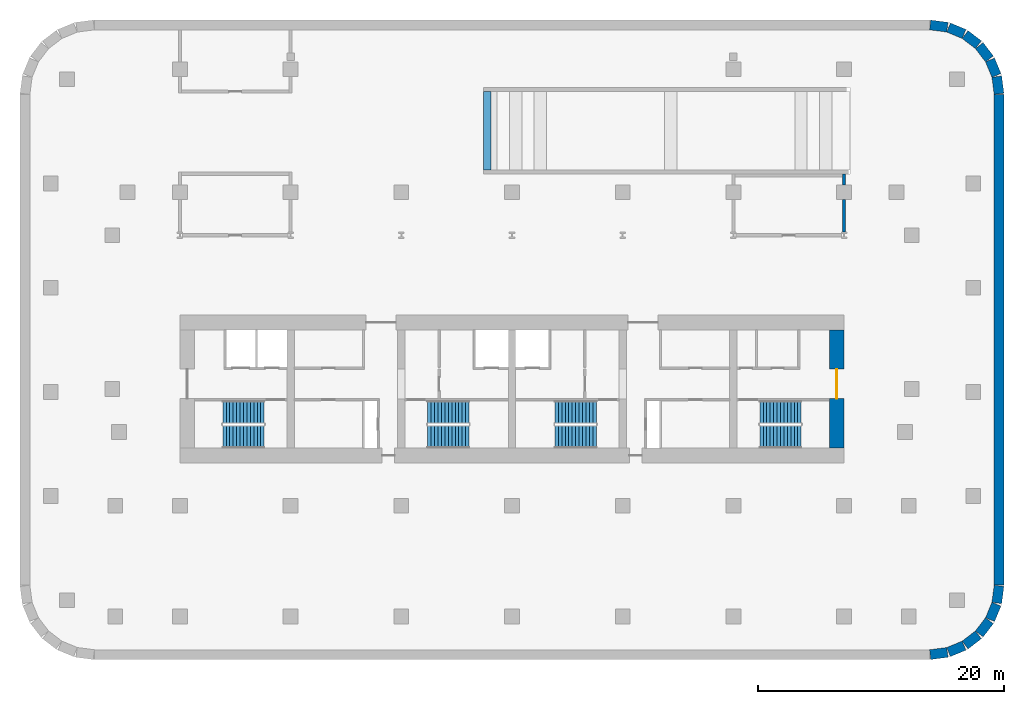
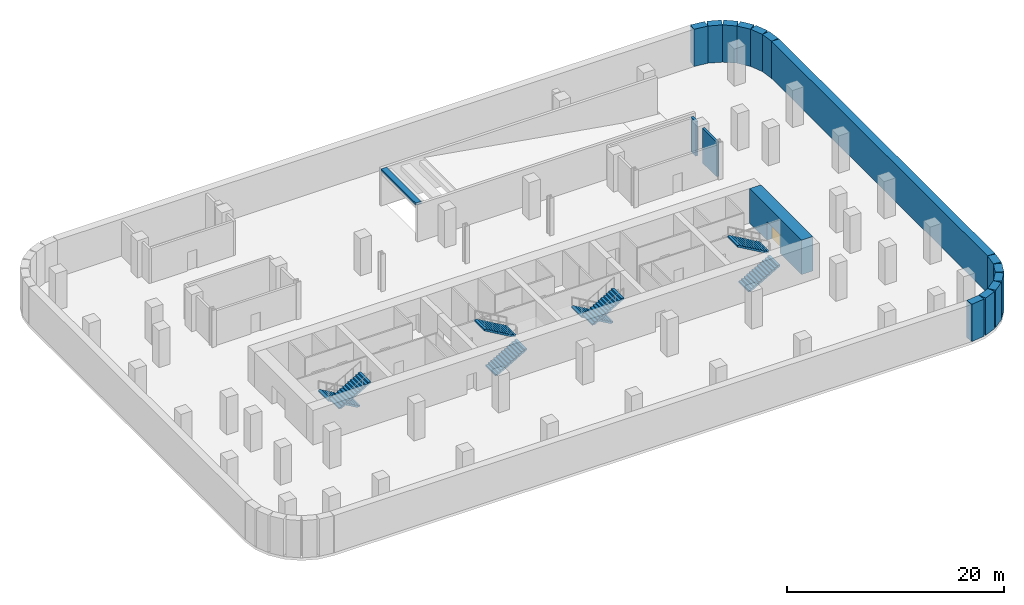
# One storey, part 4 of 5: 16 walls, 8 stair flights, 1 door, 1 ramp flight, 1 opening, 5 elements without a shape of their own.
"""IFC4 building model written with IfcOpenShell, lengths in metres."""

from ifc_helpers import new_model, si_unit, direction, frame, frame_2d, origin, place, context, subcontext, project, spatial, polyline, rectangle, outline, extrude, material, layer, layer_set, type_object, element, fill, aggregate, save


model = new_model("IFC4")

# Units and contexts
model_context = context("Model", 3, precision=1e-05, world=origin(), true_north=direction((0.0, 1.0)))
body_context = subcontext(model_context, "Body", "Model", "MODEL_VIEW")
ifc_project = project(units=[si_unit("LENGTHUNIT", "METRE"), si_unit("AREAUNIT", "SQUARE_METRE"), si_unit("VOLUMEUNIT", "CUBIC_METRE"), si_unit("PLANEANGLEUNIT", "RADIAN"), si_unit("MASSUNIT", "GRAM", prefix="KILO")], contexts=[model_context])

# Site, building, storey
site_placement = place(None, origin())
site = spatial("IfcSite", under=ifc_project, at=site_placement, CompositionType="ELEMENT")
building_placement = place(site_placement, origin())
building = spatial("IfcBuilding", under=site, at=building_placement, Name="Zellij Exchange Tower", CompositionType="ELEMENT")
storey_placement = place(building_placement, frame((0.0, 0.0, -8.39990234375)))
storey = spatial("IfcBuildingStorey", under=building, at=storey_placement, Name="B2", CompositionType="ELEMENT", Elevation=-8.39990234375)

# Walls
ifc_material_1 = material(Name="Concrete C32/40", Category="concrete")
ifc_layer_1 = layer(ifc_material_1, 0.25)
ifc_layer_set_1 = layer_set([ifc_layer_1], Name="Concrete C32/40")
wall_type_1 = type_object("IfcWallType", Name="BSM-Wall 250", PredefinedType="SOLIDWALL", material=ifc_layer_set_1)
wall_1_placement = place(storey_placement, frame((27.0, 4.784423828125, 0.0), z_axis=(0.0, 0.0, 1.0), x_axis=(0.0, 1.0, 0.0)))
element("IfcWall", 1, at=wall_1_placement, inside=storey, type_object=wall_type_1, Name="Partition 16", PredefinedType="SOLIDWALL", context=body_context, shape_type="SweptSolid", body=[
    extrude(rectangle(XDim=2.615478515625, YDim=0.25, at=frame_2d((1.3076171875, 0.0))), origin(), (0.0, 0.0, 1.0), 3.89990234375),
])
wall_2_placement = place(storey_placement, frame((27.0, 8.60009765625, 0.0), z_axis=(0.0, 0.0, 1.0), x_axis=(0.0, 1.0, 0.0)))
element("IfcWall", 2, at=wall_2_placement, inside=storey, type_object=wall_type_1, Name="Partition 17", PredefinedType="SOLIDWALL", context=body_context, shape_type="SweptSolid", body=[
    extrude(rectangle(XDim=0.89990234375, YDim=0.25, at=frame_2d((0.449951171875, 0.0))), origin(), (0.0, 0.0, 1.0), 3.89990234375),
])

# Wall, opening, door
ifc_material_2 = material(Name="Concrete C70/85", Category="concrete")
ifc_layer_2 = layer(ifc_material_2, 1.199951171875)
ifc_layer_set_2 = layer_set([ifc_layer_2], Name="Concrete C70/85")
wall_type_2 = type_object("IfcWallType", Name="CORE-SW 1200 C70/85", PredefinedType="SHEAR", material=ifc_layer_set_2)
wall_3_placement = place(storey_placement, frame((26.39990234375, -12.800048828125, 0.0), z_axis=(0.0, 0.0, 1.0), x_axis=(0.0, 1.0, 0.0)))
wall_3 = element("IfcWall", 3, at=wall_3_placement, inside=storey, type_object=wall_type_2, Name="Core shear wall end e B2", PredefinedType="SHEAR", context=body_context, shape_type="SweptSolid", body=[
    extrude(rectangle(XDim=9.60009765625, YDim=1.199951171875, at=frame_2d((4.800048828125, 0.0))), origin(), (0.0, 0.0, 1.0), 3.89990234375),
])
opening_placement = place(wall_3_placement, frame((4.011962890625, 0.0, 0.0)))
opening = element("IfcOpeningElement", 4, at=opening_placement, cuts=wall_3, Name="Opening CA-01.24", PredefinedType="OPENING", context=body_context, shape_type="SweptSolid", body=[
    extrude(rectangle(XDim=2.39990234375, YDim=2.10009765625, at=frame_2d((1.199951171875, 1.050048828125))), frame((0.0, 0.61181640625, 0.0), z_axis=(0.0, -1.0, 0.0), x_axis=(1.0, 0.0, 0.0)), (0.0, 0.0, 1.0), 1.223876953125),
])
ifc_material_3 = material(Name="Hollow metal fire door")
door_type = type_object("IfcDoorType", Name="CORE-D CE Core entrance door 2400x2100 20 MIN", OperationType="NOTDEFINED", PredefinedType="DOOR", material=ifc_material_3)
door_placement = place(opening_placement, origin())
door = element("IfcDoor", 5, at=door_placement, inside=storey, type_object=door_type, Name="Core entrance door CA-01.24", OperationType="DOUBLE_DOOR_SINGLE_SWING", OverallHeight=2.10009765625, OverallWidth=2.39990234375, PredefinedType="DOOR", context=body_context, shape_type="SweptSolid", body=[
    extrude(rectangle(XDim=2.39990234375, YDim=2.10009765625, at=frame_2d((1.199951171875, 1.050048828125))), frame((0.0, 0.02490234375, 0.0), z_axis=(0.0, -1.0, 0.0), x_axis=(1.0, 0.0, 0.0)), (0.0, 0.0, 1.0), 0.050048828125),
])
fill(opening, door)

# Walls
ifc_material_4 = material(Name="Concrete C40/50", Category="concrete")
ifc_layer_3 = layer(ifc_material_4, 0.800048828125)
ifc_layer_set_3 = layer_set([ifc_layer_3], Name="Concrete C40/50")
wall_type_3 = type_object("IfcWallType", Name="STR-RETAINING WALL 800 C40/50", PredefinedType="SOLIDWALL", material=ifc_layer_set_3)
wall_4_placement = place(storey_placement, frame((33.999755859375, 21.5966796875, 0.0), z_axis=(0.0, 0.0, 1.0), x_axis=(0.99144603414, -0.130517283865, 0.0)))
element("IfcWall", 6, at=wall_4_placement, inside=storey, type_object=wall_type_3, Name="Retaining wall B2", PredefinedType="SOLIDWALL", context=body_context, shape_type="SweptSolid", body=[
    extrude(rectangle(XDim=1.408447265625, YDim=0.800048828125, at=frame_2d((0.7041015625, 0.0))), origin(), (0.0, 0.0, 1.0), 4.199951171875),
])
for number, where, z_axis, x_axis, name in (
    (7, (35.497314453125, 21.3857421875, 0.0), (0.0, 0.0, 1.0), (0.923847774587, -0.38276009378, 0.0), "Retaining wall B2"),
    (8, (36.840087890625, 20.814697265625, 0.0), (0.0, 0.0, 1.0), (0.793359897258, -0.608752883708, 0.0), "Retaining wall B2"),
    (9, (37.989501953125, 19.91552734375, 0.0), (0.0, 0.0, 1.0), (0.608752883708, -0.793359897258, 0.0), "Retaining wall B2"),
    (10, (38.866943359375, 18.74951171875, 0.0), (0.0, 0.0, 1.0), (0.38276009378, -0.923847774587, 0.0), "Retaining wall B2"),
):
    element("IfcWall", number, at=place(storey_placement, frame(where, z_axis=z_axis, x_axis=x_axis)), inside=storey, type_object=wall_type_3, Name=name, PredefinedType="SOLIDWALL", context=body_context, shape_type="SweptSolid", body=[
        extrude(rectangle(XDim=1.35546875, YDim=0.800048828125, at=frame_2d((0.677734375, 0.0))), origin(), (0.0, 0.0, 1.0), 4.199951171875),
    ])
wall_5_placement = place(storey_placement, frame((39.412841796875, 17.396240234375, 0.0), z_axis=(0.0, 0.0, 1.0), x_axis=(0.130517283865, -0.99144603414, 0.0)))
element("IfcWall", 11, at=wall_5_placement, inside=storey, type_object=wall_type_3, Name="Retaining wall B2", PredefinedType="SOLIDWALL", context=body_context, shape_type="SweptSolid", body=[
    extrude(rectangle(XDim=1.408447265625, YDim=0.800048828125, at=frame_2d((0.7041015625, 0.0))), origin(), (0.0, 0.0, 1.0), 4.199951171875),
])
wall_6_placement = place(storey_placement, frame((39.60009765625, 15.947509765625, 0.0), z_axis=(0.0, 0.0, 1.0), x_axis=(0.0, -1.0, 0.0)))
element("IfcWall", 12, at=wall_6_placement, inside=storey, type_object=wall_type_3, Name="Retaining wall B2", PredefinedType="SOLIDWALL", context=body_context, shape_type="SweptSolid", body=[
    extrude(rectangle(XDim=39.89501953125, YDim=0.800048828125, at=frame_2d((19.947509765625, 0.0))), origin(), (0.0, 0.0, 1.0), 4.199951171875),
])
wall_7_placement = place(storey_placement, frame((39.5966796875, -23.999755859375, 0.0), z_axis=(0.0, 0.0, 1.0), x_axis=(-0.130517283865, -0.99144603414, 0.0)))
element("IfcWall", 13, at=wall_7_placement, inside=storey, type_object=wall_type_3, Name="Retaining wall B2", PredefinedType="SOLIDWALL", context=body_context, shape_type="SweptSolid", body=[
    extrude(rectangle(XDim=1.408447265625, YDim=0.800048828125, at=frame_2d((0.7041015625, 0.0))), origin(), (0.0, 0.0, 1.0), 4.199951171875),
])
for number, where, z_axis, x_axis, name in (
    (14, (39.3857421875, -25.497314453125, 0.0), (0.0, 0.0, 1.0), (-0.38276009378, -0.923847774587, 0.0), "Retaining wall B2"),
    (15, (38.814697265625, -26.840087890625, 0.0), (0.0, 0.0, 1.0), (-0.608752883708, -0.793359897258, 0.0), "Retaining wall B2"),
    (16, (37.91552734375, -27.989501953125, 0.0), (0.0, 0.0, 1.0), (-0.793359897258, -0.608752883708, 0.0), "Retaining wall B2"),
    (17, (36.74951171875, -28.866943359375, 0.0), (0.0, 0.0, 1.0), (-0.923847774587, -0.38276009378, 0.0), "Retaining wall B2"),
):
    element("IfcWall", number, at=place(storey_placement, frame(where, z_axis=z_axis, x_axis=x_axis)), inside=storey, type_object=wall_type_3, Name=name, PredefinedType="SOLIDWALL", context=body_context, shape_type="SweptSolid", body=[
        extrude(rectangle(XDim=1.35546875, YDim=0.800048828125, at=frame_2d((0.677734375, 0.0))), origin(), (0.0, 0.0, 1.0), 4.199951171875),
    ])
wall_8_placement = place(storey_placement, frame((35.396240234375, -29.412841796875, 0.0), z_axis=(0.0, 0.0, 1.0), x_axis=(-0.99144603414, -0.130517283865, 0.0)))
element("IfcWall", 18, at=wall_8_placement, inside=storey, type_object=wall_type_3, Name="Retaining wall B2", PredefinedType="SOLIDWALL", context=body_context, shape_type="SweptSolid", body=[
    extrude(rectangle(XDim=1.408447265625, YDim=0.800048828125, at=frame_2d((0.7041015625, 0.0))), origin(), (0.0, 0.0, 1.0), 4.199951171875),
])

# Stair, stair flights
stair_type = type_object("IfcStairType", Name="CORE-ST exit stair 1850 wide", PredefinedType="HALF_TURN_STAIR", material=ifc_material_4)
stair_1_placement = place(storey_placement, origin())
stair_1 = element("IfcStair", 19, at=stair_1_placement, inside=storey, type_object=stair_type, Name="B2 exit stair ST1", PredefinedType="HALF_TURN_STAIR")
stair_flight_type = type_object("IfcStairFlightType", Name="CORE-SF flight 1850 riser 161.5 going 280", PredefinedType="STRAIGHT", material=ifc_material_4)
stair_flight_1_placement = place(storey_placement, frame((-20.14990234375, -9.875, 0.0), z_axis=(0.0, 0.0, 1.0), x_axis=(-1.0, 0.0, 0.0)))
stair_flight_1 = element("IfcStairFlight", 20, at=stair_flight_1_placement, type_object=stair_flight_type, Name="ST1 flight 1", NumberOfRisers=13, NumberOfTreads=12, PredefinedType="STRAIGHT", RiserHeight=0.161538462, TreadLength=0.28, context=body_context, shape_type="SweptSolid", body=[
    extrude(outline(polyline([(0.0, 0.0), (0.0, 0.16162109375), (0.280029296875, 0.16162109375), (0.280029296875, 0.322998046875), (0.56005859375, 0.322998046875), (0.56005859375, 0.484619140625), (0.840087890625, 0.484619140625), (0.840087890625, 0.646240234375), (1.1201171875, 0.646240234375), (1.1201171875, 0.8076171875), (1.39990234375, 0.8076171875), (1.39990234375, 0.96923828125), (1.679931640625, 0.96923828125), (1.679931640625, 1.130859375), (1.9599609375, 1.130859375), (1.9599609375, 1.292236328125), (2.239990234375, 1.292236328125), (2.239990234375, 1.453857421875), (2.52001953125, 1.453857421875), (2.52001953125, 1.615478515625), (2.800048828125, 1.615478515625), (2.800048828125, 1.77685546875), (3.080078125, 1.77685546875), (3.080078125, 1.9384765625), (3.360107421875, 1.9384765625), (3.360107421875, 2.10009765625), (3.360107421875, 1.765380859375), (0.300048828125, 0.0), (0.0, 0.0)])), frame((0.0, 0.925048828125, 0.0), z_axis=(0.0, -1.0, 0.0), x_axis=(1.0, 0.0, 0.0)), (0.0, 0.0, 1.0), 1.85009765625),
])
stair_flight_2_placement = place(storey_placement, frame((-23.510009765625, -11.875, 2.099853515625), z_axis=(0.0, 0.0, 1.0), x_axis=(1.0, 0.0, 0.0)))
stair_flight_2 = element("IfcStairFlight", 21, at=stair_flight_2_placement, type_object=stair_flight_type, Name="ST1 flight 2", NumberOfRisers=13, NumberOfTreads=12, PredefinedType="STRAIGHT", RiserHeight=0.161538462, TreadLength=0.28, context=body_context, shape_type="SweptSolid", body=[
    extrude(outline(polyline([(0.0, 0.0), (0.0, 0.16162109375), (0.280029296875, 0.16162109375), (0.280029296875, 0.322998046875), (0.56005859375, 0.322998046875), (0.56005859375, 0.484619140625), (0.840087890625, 0.484619140625), (0.840087890625, 0.646240234375), (1.1201171875, 0.646240234375), (1.1201171875, 0.8076171875), (1.39990234375, 0.8076171875), (1.39990234375, 0.96923828125), (1.679931640625, 0.96923828125), (1.679931640625, 1.130859375), (1.9599609375, 1.130859375), (1.9599609375, 1.292236328125), (2.239990234375, 1.292236328125), (2.239990234375, 1.453857421875), (2.52001953125, 1.453857421875), (2.52001953125, 1.615478515625), (2.800048828125, 1.615478515625), (2.800048828125, 1.77685546875), (3.080078125, 1.77685546875), (3.080078125, 1.9384765625), (3.360107421875, 1.9384765625), (3.360107421875, 2.10009765625), (3.360107421875, 1.765380859375), (0.300048828125, 0.0), (0.0, 0.0)])), frame((0.0, 0.925048828125, 0.0), z_axis=(0.0, -1.0, 0.0), x_axis=(1.0, 0.0, 0.0)), (0.0, 0.0, 1.0), 1.85009765625),
])
aggregate(stair_1, [stair_flight_1, stair_flight_2])

stair_2_placement = place(storey_placement, origin())
stair_2 = element("IfcStair", 22, at=stair_2_placement, inside=storey, type_object=stair_type, Name="B2 exit stair ST2", PredefinedType="HALF_TURN_STAIR")
stair_flight_3_placement = place(storey_placement, frame((-6.85009765625, -11.875, 0.0), z_axis=(0.0, 0.0, 1.0), x_axis=(1.0, 0.0, 0.0)))
stair_flight_3 = element("IfcStairFlight", 23, at=stair_flight_3_placement, type_object=stair_flight_type, Name="ST2 flight 1", NumberOfRisers=13, NumberOfTreads=12, PredefinedType="STRAIGHT", RiserHeight=0.161538462, TreadLength=0.28, context=body_context, shape_type="SweptSolid", body=[
    extrude(outline(polyline([(0.0, 0.0), (0.0, 0.16162109375), (0.280029296875, 0.16162109375), (0.280029296875, 0.322998046875), (0.56005859375, 0.322998046875), (0.56005859375, 0.484619140625), (0.840087890625, 0.484619140625), (0.840087890625, 0.646240234375), (1.1201171875, 0.646240234375), (1.1201171875, 0.8076171875), (1.39990234375, 0.8076171875), (1.39990234375, 0.96923828125), (1.679931640625, 0.96923828125), (1.679931640625, 1.130859375), (1.9599609375, 1.130859375), (1.9599609375, 1.292236328125), (2.239990234375, 1.292236328125), (2.239990234375, 1.453857421875), (2.52001953125, 1.453857421875), (2.52001953125, 1.615478515625), (2.800048828125, 1.615478515625), (2.800048828125, 1.77685546875), (3.080078125, 1.77685546875), (3.080078125, 1.9384765625), (3.360107421875, 1.9384765625), (3.360107421875, 2.10009765625), (3.360107421875, 1.765380859375), (0.300048828125, 0.0), (0.0, 0.0)])), frame((0.0, 0.925048828125, 0.0), z_axis=(0.0, -1.0, 0.0), x_axis=(1.0, 0.0, 0.0)), (0.0, 0.0, 1.0), 1.85009765625),
])
stair_flight_4_placement = place(storey_placement, frame((-3.489990234375, -9.875, 2.099853515625), z_axis=(0.0, 0.0, 1.0), x_axis=(-1.0, 0.0, 0.0)))
stair_flight_4 = element("IfcStairFlight", 24, at=stair_flight_4_placement, type_object=stair_flight_type, Name="ST2 flight 2", NumberOfRisers=13, NumberOfTreads=12, PredefinedType="STRAIGHT", RiserHeight=0.161538462, TreadLength=0.28, context=body_context, shape_type="SweptSolid", body=[
    extrude(outline(polyline([(0.0, 0.0), (0.0, 0.16162109375), (0.280029296875, 0.16162109375), (0.280029296875, 0.322998046875), (0.56005859375, 0.322998046875), (0.56005859375, 0.484619140625), (0.840087890625, 0.484619140625), (0.840087890625, 0.646240234375), (1.1201171875, 0.646240234375), (1.1201171875, 0.8076171875), (1.39990234375, 0.8076171875), (1.39990234375, 0.96923828125), (1.679931640625, 0.96923828125), (1.679931640625, 1.130859375), (1.9599609375, 1.130859375), (1.9599609375, 1.292236328125), (2.239990234375, 1.292236328125), (2.239990234375, 1.453857421875), (2.52001953125, 1.453857421875), (2.52001953125, 1.615478515625), (2.800048828125, 1.615478515625), (2.800048828125, 1.77685546875), (3.080078125, 1.77685546875), (3.080078125, 1.9384765625), (3.360107421875, 1.9384765625), (3.360107421875, 2.10009765625), (3.360107421875, 1.765380859375), (0.300048828125, 0.0), (0.0, 0.0)])), frame((0.0, 0.925048828125, 0.0), z_axis=(0.0, -1.0, 0.0), x_axis=(1.0, 0.0, 0.0)), (0.0, 0.0, 1.0), 1.85009765625),
])
aggregate(stair_2, [stair_flight_3, stair_flight_4])

stair_3_placement = place(storey_placement, origin())
stair_3 = element("IfcStair", 25, at=stair_3_placement, inside=storey, type_object=stair_type, Name="B2 exit stair ST3", PredefinedType="HALF_TURN_STAIR")
stair_flight_5_placement = place(storey_placement, frame((6.85009765625, -9.875, 0.0), z_axis=(0.0, 0.0, 1.0), x_axis=(-1.0, 0.0, 0.0)))
stair_flight_5 = element("IfcStairFlight", 26, at=stair_flight_5_placement, type_object=stair_flight_type, Name="ST3 flight 1", NumberOfRisers=13, NumberOfTreads=12, PredefinedType="STRAIGHT", RiserHeight=0.161538462, TreadLength=0.28, context=body_context, shape_type="SweptSolid", body=[
    extrude(outline(polyline([(0.0, 0.0), (0.0, 0.16162109375), (0.280029296875, 0.16162109375), (0.280029296875, 0.322998046875), (0.56005859375, 0.322998046875), (0.56005859375, 0.484619140625), (0.840087890625, 0.484619140625), (0.840087890625, 0.646240234375), (1.1201171875, 0.646240234375), (1.1201171875, 0.8076171875), (1.39990234375, 0.8076171875), (1.39990234375, 0.96923828125), (1.679931640625, 0.96923828125), (1.679931640625, 1.130859375), (1.9599609375, 1.130859375), (1.9599609375, 1.292236328125), (2.239990234375, 1.292236328125), (2.239990234375, 1.453857421875), (2.52001953125, 1.453857421875), (2.52001953125, 1.615478515625), (2.800048828125, 1.615478515625), (2.800048828125, 1.77685546875), (3.080078125, 1.77685546875), (3.080078125, 1.9384765625), (3.360107421875, 1.9384765625), (3.360107421875, 2.10009765625), (3.360107421875, 1.765380859375), (0.300048828125, 0.0), (0.0, 0.0)])), frame((0.0, 0.925048828125, 0.0), z_axis=(0.0, -1.0, 0.0), x_axis=(1.0, 0.0, 0.0)), (0.0, 0.0, 1.0), 1.85009765625),
])
stair_flight_6_placement = place(storey_placement, frame((3.489990234375, -11.875, 2.099853515625), z_axis=(0.0, 0.0, 1.0), x_axis=(1.0, 0.0, 0.0)))
stair_flight_6 = element("IfcStairFlight", 27, at=stair_flight_6_placement, type_object=stair_flight_type, Name="ST3 flight 2", NumberOfRisers=13, NumberOfTreads=12, PredefinedType="STRAIGHT", RiserHeight=0.161538462, TreadLength=0.28, context=body_context, shape_type="SweptSolid", body=[
    extrude(outline(polyline([(0.0, 0.0), (0.0, 0.16162109375), (0.280029296875, 0.16162109375), (0.280029296875, 0.322998046875), (0.56005859375, 0.322998046875), (0.56005859375, 0.484619140625), (0.840087890625, 0.484619140625), (0.840087890625, 0.646240234375), (1.1201171875, 0.646240234375), (1.1201171875, 0.8076171875), (1.39990234375, 0.8076171875), (1.39990234375, 0.96923828125), (1.679931640625, 0.96923828125), (1.679931640625, 1.130859375), (1.9599609375, 1.130859375), (1.9599609375, 1.292236328125), (2.239990234375, 1.292236328125), (2.239990234375, 1.453857421875), (2.52001953125, 1.453857421875), (2.52001953125, 1.615478515625), (2.800048828125, 1.615478515625), (2.800048828125, 1.77685546875), (3.080078125, 1.77685546875), (3.080078125, 1.9384765625), (3.360107421875, 1.9384765625), (3.360107421875, 2.10009765625), (3.360107421875, 1.765380859375), (0.300048828125, 0.0), (0.0, 0.0)])), frame((0.0, 0.925048828125, 0.0), z_axis=(0.0, -1.0, 0.0), x_axis=(1.0, 0.0, 0.0)), (0.0, 0.0, 1.0), 1.85009765625),
])
aggregate(stair_3, [stair_flight_5, stair_flight_6])

stair_4_placement = place(storey_placement, origin())
stair_4 = element("IfcStair", 28, at=stair_4_placement, inside=storey, type_object=stair_type, Name="B2 exit stair ST4", PredefinedType="HALF_TURN_STAIR")
stair_flight_7_placement = place(storey_placement, frame((20.14990234375, -11.875, 0.0), z_axis=(0.0, 0.0, 1.0), x_axis=(1.0, 0.0, 0.0)))
stair_flight_7 = element("IfcStairFlight", 29, at=stair_flight_7_placement, type_object=stair_flight_type, Name="ST4 flight 1", NumberOfRisers=13, NumberOfTreads=12, PredefinedType="STRAIGHT", RiserHeight=0.161538462, TreadLength=0.28, context=body_context, shape_type="SweptSolid", body=[
    extrude(outline(polyline([(0.0, 0.0), (0.0, 0.16162109375), (0.280029296875, 0.16162109375), (0.280029296875, 0.322998046875), (0.56005859375, 0.322998046875), (0.56005859375, 0.484619140625), (0.840087890625, 0.484619140625), (0.840087890625, 0.646240234375), (1.1201171875, 0.646240234375), (1.1201171875, 0.8076171875), (1.39990234375, 0.8076171875), (1.39990234375, 0.96923828125), (1.679931640625, 0.96923828125), (1.679931640625, 1.130859375), (1.9599609375, 1.130859375), (1.9599609375, 1.292236328125), (2.239990234375, 1.292236328125), (2.239990234375, 1.453857421875), (2.52001953125, 1.453857421875), (2.52001953125, 1.615478515625), (2.800048828125, 1.615478515625), (2.800048828125, 1.77685546875), (3.080078125, 1.77685546875), (3.080078125, 1.9384765625), (3.360107421875, 1.9384765625), (3.360107421875, 2.10009765625), (3.360107421875, 1.765380859375), (0.300048828125, 0.0), (0.0, 0.0)])), frame((0.0, 0.925048828125, 0.0), z_axis=(0.0, -1.0, 0.0), x_axis=(1.0, 0.0, 0.0)), (0.0, 0.0, 1.0), 1.85009765625),
])
stair_flight_8_placement = place(storey_placement, frame((23.510009765625, -9.875, 2.099853515625), z_axis=(0.0, 0.0, 1.0), x_axis=(-1.0, 0.0, 0.0)))
stair_flight_8 = element("IfcStairFlight", 30, at=stair_flight_8_placement, type_object=stair_flight_type, Name="ST4 flight 2", NumberOfRisers=13, NumberOfTreads=12, PredefinedType="STRAIGHT", RiserHeight=0.161538462, TreadLength=0.28, context=body_context, shape_type="SweptSolid", body=[
    extrude(outline(polyline([(0.0, 0.0), (0.0, 0.16162109375), (0.280029296875, 0.16162109375), (0.280029296875, 0.322998046875), (0.56005859375, 0.322998046875), (0.56005859375, 0.484619140625), (0.840087890625, 0.484619140625), (0.840087890625, 0.646240234375), (1.1201171875, 0.646240234375), (1.1201171875, 0.8076171875), (1.39990234375, 0.8076171875), (1.39990234375, 0.96923828125), (1.679931640625, 0.96923828125), (1.679931640625, 1.130859375), (1.9599609375, 1.130859375), (1.9599609375, 1.292236328125), (2.239990234375, 1.292236328125), (2.239990234375, 1.453857421875), (2.52001953125, 1.453857421875), (2.52001953125, 1.615478515625), (2.800048828125, 1.615478515625), (2.800048828125, 1.77685546875), (3.080078125, 1.77685546875), (3.080078125, 1.9384765625), (3.360107421875, 1.9384765625), (3.360107421875, 2.10009765625), (3.360107421875, 1.765380859375), (0.300048828125, 0.0), (0.0, 0.0)])), frame((0.0, 0.925048828125, 0.0), z_axis=(0.0, -1.0, 0.0), x_axis=(1.0, 0.0, 0.0)), (0.0, 0.0, 1.0), 1.85009765625),
])
aggregate(stair_4, [stair_flight_7, stair_flight_8])

# Ramp, ramp flight
ramp_type = type_object("IfcRampType", Name="BSM-Car ramp 6400", PredefinedType="STRAIGHT_RUN_RAMP", material=ifc_material_4)
ramp_placement = place(storey_placement, origin())
ramp = element("IfcRamp", 31, at=ramp_placement, inside=storey, type_object=ramp_type, Name="Car park ramp R2", PredefinedType="STRAIGHT_RUN_RAMP")
ifc_layer_4 = layer(ifc_material_4, 0.25)
ifc_layer_set_4 = layer_set([ifc_layer_4], Name="Concrete C40/50")
ramp_flight_type = type_object("IfcRampFlightType", Name="BSM-Ramp landing flight 250 C40/50", PredefinedType="STRAIGHT", material=ifc_layer_set_4)
ramp_flight_placement = place(storey_placement, frame((-2.300048828125, 9.800048828125, 4.199951171875), z_axis=(0.0, 0.0, 1.0), x_axis=(1.0, 0.0, 0.0)))
ramp_flight = element("IfcRampFlight", 32, at=ramp_flight_placement, type_object=ramp_flight_type, Name="Car park ramp R2 landing", PredefinedType="STRAIGHT", context=body_context, shape_type="SweptSolid", body=[
    extrude(outline(polyline([(0.0, 0.0), (0.60009765625, 0.0), (0.60009765625, 6.39990234375), (0.0, 6.39990234375), (0.0, 0.0)])), origin(), (0.0, 0.0, -1.0), 0.25),
])
aggregate(ramp, [ramp_flight])

save(model, "model.ifc")
